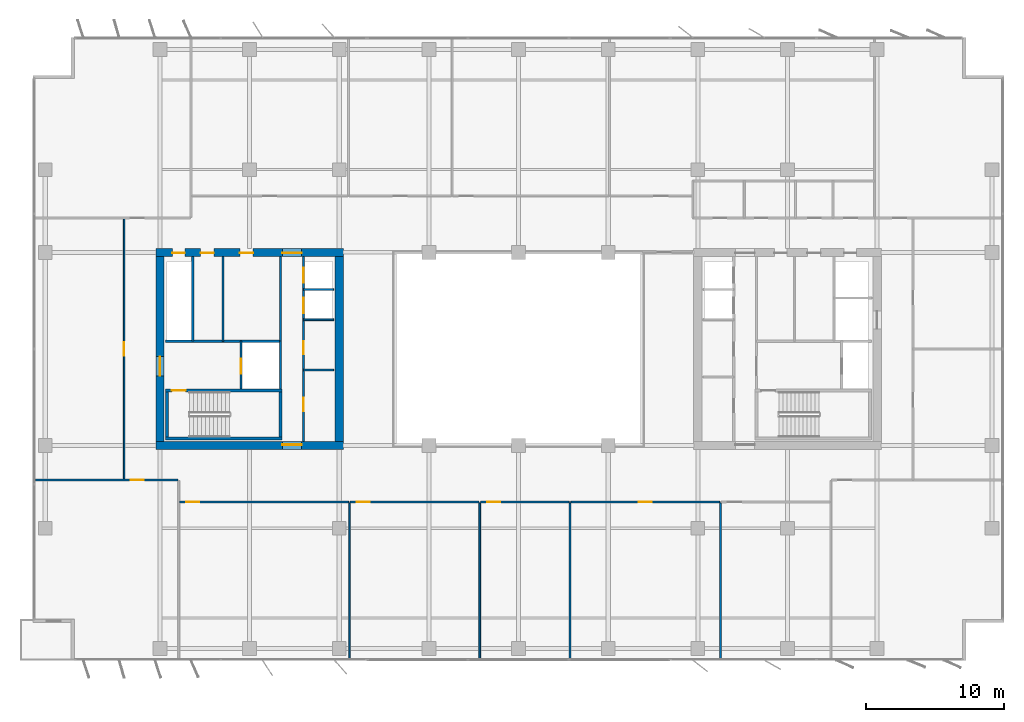
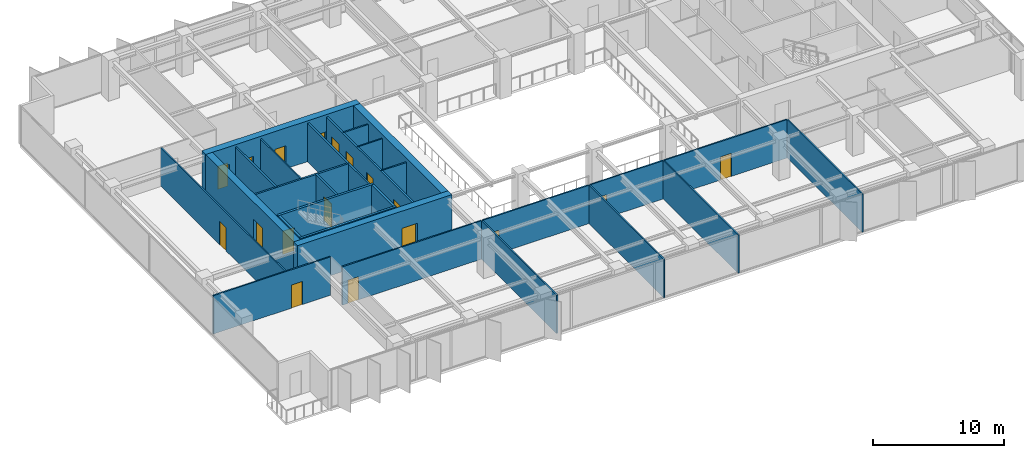
# One storey, part 15 of 22: 28 walls, 18 doors, 18 openings.
"""IFC4 building model written with IfcOpenShell, lengths in metres."""

from ifc_helpers import new_model, si_unit, direction, frame, frame_2d, origin, place, context, subcontext, project, spatial, rectangle, extrude, material, layer, layer_set, type_object, element, fill, save


model = new_model("IFC4")

# Units and contexts
model_context = context("Model", 3, precision=1e-05, world=origin(), true_north=direction((0.0, 1.0)))
body_context = subcontext(model_context, "Body", "Model", "MODEL_VIEW")
ifc_project = project(units=[si_unit("LENGTHUNIT", "METRE"), si_unit("AREAUNIT", "SQUARE_METRE"), si_unit("VOLUMEUNIT", "CUBIC_METRE"), si_unit("PLANEANGLEUNIT", "RADIAN"), si_unit("MASSUNIT", "GRAM", prefix="KILO")], contexts=[model_context])

# Site, building, storey
site_placement = place(None, origin())
site = spatial("IfcSite", under=ifc_project, at=site_placement, CompositionType="ELEMENT")
building_placement = place(site_placement, origin())
building = spatial("IfcBuilding", under=site, at=building_placement, Name="Putna Gate Headquarters", CompositionType="ELEMENT")
storey_placement = place(building_placement, frame((0.0, 0.0, 167.0)))
storey = spatial("IfcBuildingStorey", under=building, at=storey_placement, Name="L41", CompositionType="ELEMENT", Elevation=167.0)

# Wall, opening, door
ifc_material_1 = material(Name="Concrete C50/60", Category="concrete")
ifc_layer_1 = layer(ifc_material_1, 0.60009765625)
ifc_layer_set_1 = layer_set([ifc_layer_1], Name="Concrete C50/60")
wall_type_1 = type_object("IfcWallType", Name="WALL-CORE-600", PredefinedType="SHEAR", material=ifc_layer_set_1)
wall_1_placement = place(storey_placement, frame((12.699951171875, 19.0, 0.0), z_axis=(0.0, 0.0, 1.0), x_axis=(1.0, 0.0, 0.0)))
wall_1 = element("IfcWall", 1, at=wall_1_placement, inside=storey, type_object=wall_type_1, Name="L41 WC Split Core Shear Wall S", PredefinedType="SHEAR", context=body_context, shape_type="SweptSolid", body=[
    extrude(rectangle(XDim=13.60009765625, YDim=0.60009765625, at=frame_2d((6.800048828125, 0.0))), origin(), (0.0, 0.0, 1.0), 3.800048828125),
])
opening_1_placement = place(wall_1_placement, frame((9.179931640625, 0.0, 0.0)))
opening_1 = element("IfcOpeningElement", 2, at=opening_1_placement, cuts=wall_1, Name="Opening FDD-140", PredefinedType="OPENING", context=body_context, shape_type="SweptSolid", body=[
    extrude(rectangle(XDim=1.39990234375, YDim=2.199951171875, at=frame_2d((0.699951171875, 1.10009765625))), frame((0.0, 0.31005859375, 0.0), z_axis=(0.0, -1.0, 0.0), x_axis=(1.0, 0.0, 0.0)), (0.0, 0.0, 1.0), 0.6201171875),
])
ifc_material_2 = material(Name="Double steel fire door", Category="steel")
door_type_1 = type_object("IfcDoorType", Name="DOOR-FIRE-DBL-1400", OperationType="DOUBLE_DOOR_SINGLE_SWING", PredefinedType="DOOR", material=ifc_material_2)
door_1_placement = place(opening_1_placement, origin())
door_1 = element("IfcDoor", 3, at=door_1_placement, inside=storey, type_object=door_type_1, Name="L41 West Lift Lobby South Door", OperationType="DOUBLE_DOOR_SINGLE_SWING", OverallHeight=2.199951171875, OverallWidth=1.39990234375, PredefinedType="DOOR", context=body_context, shape_type="SweptSolid", body=[
    extrude(rectangle(XDim=1.39990234375, YDim=2.199951171875, at=frame_2d((0.699951171875, 1.10009765625))), frame((0.0, 0.0751953125, 0.0), z_axis=(0.0, -1.0, 0.0), x_axis=(1.0, 0.0, 0.0)), (0.0, 0.0, 1.0), 0.050048828125),
])
fill(opening_1, door_1)

# Wall, openings, doors
wall_2_placement = place(storey_placement, frame((12.699951171875, 33.0, 0.0), z_axis=(0.0, 0.0, 1.0), x_axis=(1.0, 0.0, 0.0)))
wall_2 = element("IfcWall", 4, at=wall_2_placement, inside=storey, type_object=wall_type_1, Name="L41 WC Split Core Shear Wall N", PredefinedType="SHEAR", context=body_context, shape_type="SweptSolid", body=[
    extrude(rectangle(XDim=13.60009765625, YDim=0.60009765625, at=frame_2d((6.800048828125, 0.0))), origin(), (0.0, 0.0, 1.0), 3.800048828125),
])
opening_2_placement = place(wall_2_placement, frame((1.199951171875, 0.0, 0.0)))
opening_2 = element("IfcOpeningElement", 5, at=opening_2_placement, cuts=wall_2, Name="Opening RD-90", PredefinedType="OPENING", context=body_context, shape_type="SweptSolid", body=[
    extrude(rectangle(XDim=0.89990234375, YDim=2.14990234375, at=frame_2d((0.449951171875, 1.074951171875))), frame((0.0, 0.31005859375, 0.0), z_axis=(0.0, -1.0, 0.0), x_axis=(1.0, 0.0, 0.0)), (0.0, 0.0, 1.0), 0.6201171875),
])
opening_3_placement = place(wall_2_placement, frame((3.25, 0.0, 0.0)))
opening_3 = element("IfcOpeningElement", 6, at=opening_3_placement, cuts=wall_2, Name="Opening IDS-95", PredefinedType="OPENING", context=body_context, shape_type="SweptSolid", body=[
    extrude(rectangle(XDim=0.949951171875, YDim=2.14990234375, at=frame_2d((0.47509765625, 1.074951171875))), frame((0.0, 0.31005859375, 0.0), z_axis=(0.0, -1.0, 0.0), x_axis=(1.0, 0.0, 0.0)), (0.0, 0.0, 1.0), 0.6201171875),
])
opening_4_placement = place(wall_2_placement, frame((6.10009765625, 0.0, 0.0)))
opening_4 = element("IfcOpeningElement", 7, at=opening_4_placement, cuts=wall_2, Name="Opening IDS-95", PredefinedType="OPENING", context=body_context, shape_type="SweptSolid", body=[
    extrude(rectangle(XDim=0.949951171875, YDim=2.14990234375, at=frame_2d((0.47509765625, 1.074951171875))), frame((0.0, 0.31005859375, 0.0), z_axis=(0.0, -1.0, 0.0), x_axis=(1.0, 0.0, 0.0)), (0.0, 0.0, 1.0), 0.6201171875),
])
opening_5_placement = place(wall_2_placement, frame((9.179931640625, 0.0, 0.0)))
opening_5 = element("IfcOpeningElement", 8, at=opening_5_placement, cuts=wall_2, Name="Opening FDD-140", PredefinedType="OPENING", context=body_context, shape_type="SweptSolid", body=[
    extrude(rectangle(XDim=1.39990234375, YDim=2.199951171875, at=frame_2d((0.699951171875, 1.10009765625))), frame((0.0, 0.31005859375, 0.0), z_axis=(0.0, -1.0, 0.0), x_axis=(1.0, 0.0, 0.0)), (0.0, 0.0, 1.0), 0.6201171875),
])
door_2_placement = place(opening_5_placement, origin())
door_2 = element("IfcDoor", 9, at=door_2_placement, inside=storey, type_object=door_type_1, Name="L41 West Lift Lobby North Door", OperationType="DOUBLE_DOOR_SINGLE_SWING", OverallHeight=2.199951171875, OverallWidth=1.39990234375, PredefinedType="DOOR", context=body_context, shape_type="SweptSolid", body=[
    extrude(rectangle(XDim=1.39990234375, YDim=2.199951171875, at=frame_2d((0.699951171875, 1.10009765625))), frame((0.0, -0.02490234375, 0.0), z_axis=(0.0, -1.0, 0.0), x_axis=(1.0, 0.0, 0.0)), (0.0, 0.0, 1.0), 0.050048828125),
])
fill(opening_5, door_2)
ifc_material_3 = material(Name="Fire-rated service timber door", Category="wood")
door_type_2 = type_object("IfcDoorType", Name="DOOR-INT-950", OperationType="NOTDEFINED", PredefinedType="DOOR", material=ifc_material_3)
door_3_placement = place(opening_3_placement, origin())
door_3 = element("IfcDoor", 10, at=door_3_placement, inside=storey, type_object=door_type_2, Name="L41 Archive Store Door", OperationType="SINGLE_SWING_LEFT", OverallHeight=2.14990234375, OverallWidth=0.949951171875, PredefinedType="DOOR", context=body_context, shape_type="SweptSolid", body=[
    extrude(rectangle(XDim=0.949951171875, YDim=2.14990234375, at=frame_2d((0.47509765625, 1.074951171875))), frame((0.0, -0.02490234375, 0.0), z_axis=(0.0, -1.0, 0.0), x_axis=(1.0, 0.0, 0.0)), (0.0, 0.0, 1.0), 0.050048828125),
])
fill(opening_3, door_3)
door_4_placement = place(opening_4_placement, origin())
door_4 = element("IfcDoor", 11, at=door_4_placement, inside=storey, type_object=door_type_2, Name="L41 Switchgear Plant Door", OperationType="SINGLE_SWING_RIGHT", OverallHeight=2.14990234375, OverallWidth=0.949951171875, PredefinedType="DOOR", context=body_context, shape_type="SweptSolid", body=[
    extrude(rectangle(XDim=0.949951171875, YDim=2.14990234375, at=frame_2d((0.47509765625, 1.074951171875))), frame((0.0, -0.02490234375, 0.0), z_axis=(0.0, -1.0, 0.0), x_axis=(1.0, 0.0, 0.0)), (0.0, 0.0, 1.0), 0.050048828125),
])
fill(opening_4, door_4)
ifc_material_4 = material(Name="Steel riser access fire door", Category="steel")
door_type_3 = type_object("IfcDoorType", Name="DOOR-RISER-900", OperationType="NOTDEFINED", PredefinedType="DOOR", material=ifc_material_4)
door_5_placement = place(opening_2_placement, origin())
door_5 = element("IfcDoor", 12, at=door_5_placement, inside=storey, type_object=door_type_3, Name="L41 West Riser Access Door", OperationType="SINGLE_SWING_RIGHT", OverallHeight=2.14990234375, OverallWidth=0.89990234375, PredefinedType="DOOR", context=body_context, shape_type="SweptSolid", body=[
    extrude(rectangle(XDim=0.89990234375, YDim=2.14990234375, at=frame_2d((0.449951171875, 1.074951171875))), frame((0.0, -0.02490234375, 0.0), z_axis=(0.0, -1.0, 0.0), x_axis=(1.0, 0.0, 0.0)), (0.0, 0.0, 1.0), 0.050048828125),
])
fill(opening_2, door_5)

# Wall, opening, door
wall_3_placement = place(storey_placement, frame((13.0, 19.300048828125, 0.0), z_axis=(0.0, 0.0, 1.0), x_axis=(0.0, 1.0, 0.0)))
wall_3 = element("IfcWall", 13, at=wall_3_placement, inside=storey, type_object=wall_type_1, Name="L41 WC Split Core Shear Wall W", PredefinedType="SHEAR", context=body_context, shape_type="SweptSolid", body=[
    extrude(rectangle(XDim=13.39990234375, YDim=0.60009765625, at=frame_2d((6.699951171875, 0.0))), origin(), (0.0, 0.0, 1.0), 3.800048828125),
])
opening_6_placement = place(wall_3_placement, frame((4.75, 0.0, 0.0)))
opening_6 = element("IfcOpeningElement", 14, at=opening_6_placement, cuts=wall_3, Name="Opening FDD-140", PredefinedType="OPENING", context=body_context, shape_type="SweptSolid", body=[
    extrude(rectangle(XDim=1.39990234375, YDim=2.199951171875, at=frame_2d((0.699951171875, 1.10009765625))), frame((0.0, 0.31005859375, 0.0), z_axis=(0.0, -1.0, 0.0), x_axis=(1.0, 0.0, 0.0)), (0.0, 0.0, 1.0), 0.6201171875),
])
door_6_placement = place(opening_6_placement, origin())
door_6 = element("IfcDoor", 15, at=door_6_placement, inside=storey, type_object=door_type_1, Name="L41 West Firefighting Lobby Door", OperationType="DOUBLE_DOOR_SINGLE_SWING", OverallHeight=2.199951171875, OverallWidth=1.39990234375, PredefinedType="DOOR", context=body_context, shape_type="SweptSolid", body=[
    extrude(rectangle(XDim=1.39990234375, YDim=2.199951171875, at=frame_2d((0.699951171875, 1.10009765625))), frame((0.0, 0.02490234375, 0.0), z_axis=(0.0, -1.0, 0.0), x_axis=(1.0, 0.0, 0.0)), (0.0, 0.0, 1.0), 0.050048828125),
])
fill(opening_6, door_6)

# Walls
wall_4_placement = place(storey_placement, frame((26.0, 19.300048828125, 0.0), z_axis=(0.0, 0.0, 1.0), x_axis=(0.0, 1.0, 0.0)))
element("IfcWall", 16, at=wall_4_placement, inside=storey, type_object=wall_type_1, Name="L41 WC Split Core Shear Wall E", PredefinedType="SHEAR", context=body_context, shape_type="SweptSolid", body=[
    extrude(rectangle(XDim=13.39990234375, YDim=0.60009765625, at=frame_2d((6.699951171875, 0.0))), origin(), (0.0, 0.0, 1.0), 3.800048828125),
])
ifc_material_5 = material(Name="Acoustic gypsum board on metal stud")
ifc_layer_2 = layer(ifc_material_5, 0.1201171875)
ifc_layer_set_2 = layer_set([ifc_layer_2], Name="Acoustic gypsum board on metal stud")
wall_type_2 = type_object("IfcWallType", Name="WALL-PART-120", PredefinedType="PARTITIONING", material=ifc_layer_set_2)
for number, where, z_axis, x_axis, name in (
    (17, (26.736083984375, 3.419921875, 0.0), (0.0, 0.0, 1.0), (0.0, 1.0, 0.0), "L41 Interior Wall PART-L41-SB-DIV-02"),
    (18, (36.19140625, 3.419921875, 0.0), (0.0, 0.0, 1.0), (0.0, 1.0, 0.0), "L41 Interior Wall PART-L41-SB-DIV-03"),
    (19, (42.72607421875, 3.419921875, 0.0), (0.0, 0.0, 1.0), (0.0, 1.0, 0.0), "L41 Interior Wall PART-L41-SB-DIV-04"),
    (20, (53.6455078125, 3.419921875, 0.0), (0.0, 0.0, 1.0), (0.0, 1.0, 0.0), "L41 Interior Wall PART-L41-SB-DIV-05"),
):
    element("IfcWall", number, at=place(storey_placement, frame(where, z_axis=z_axis, x_axis=x_axis)), inside=storey, type_object=wall_type_2, Name=name, PredefinedType="PARTITIONING", context=body_context, shape_type="SweptSolid", body=[
        extrude(rectangle(XDim=11.420166015625, YDim=0.1201171875, at=frame_2d((5.7099609375, 0.0))), origin(), (0.0, 0.0, 1.0), 3.572021484375),
    ])
ifc_material_6 = material(Name="Fire-rated shaftwall gypsum board on metal stud")
ifc_layer_3 = layer(ifc_material_6, 0.1201171875)
ifc_layer_set_3 = layer_set([ifc_layer_3], Name="Fire-rated shaftwall gypsum board on metal stud")
wall_type_3 = type_object("IfcWallType", Name="WALL-PART-120-EI120", PredefinedType="PARTITIONING", material=ifc_layer_set_3)
wall_5_placement = place(storey_placement, frame((23.39990234375, 30.31005859375, 0.0), z_axis=(0.0, 0.0, 1.0), x_axis=(1.0, 0.0, 0.0)))
element("IfcWall", 21, at=wall_5_placement, inside=storey, type_object=wall_type_3, Name="L41 Interior Wall CWINT-L41-WC-LF09-DIV", PredefinedType="PARTITIONING", context=body_context, shape_type="SweptSolid", body=[
    extrude(rectangle(XDim=2.2001953125, YDim=0.1201171875, at=frame_2d((1.10009765625, 0.0))), origin(), (0.0, 0.0, 1.0), 3.572021484375),
])
ifc_material_7 = material(Name="Fire-rated gypsum board on metal stud")
ifc_layer_4 = layer(ifc_material_7, 0.1201171875)
ifc_layer_set_4 = layer_set([ifc_layer_4], Name="Fire-rated gypsum board on metal stud")
wall_type_4 = type_object("IfcWallType", Name="WALL-PART-120-RATED", PredefinedType="PARTITIONING", material=ifc_layer_set_4)
wall_6_placement = place(storey_placement, frame((17.570068359375, 26.56005859375, 0.0), z_axis=(0.0, 0.0, 1.0), x_axis=(0.0, 1.0, 0.0)))
element("IfcWall", 22, at=wall_6_placement, inside=storey, type_object=wall_type_4, Name="L41 Interior Wall CWINT-L41-WC-K1-DIV", PredefinedType="PARTITIONING", context=body_context, shape_type="SweptSolid", body=[
    extrude(rectangle(XDim=6.139892578125, YDim=0.1201171875, at=frame_2d((3.06982421875, 0.0))), origin(), (0.0, 0.0, 1.0), 3.572021484375),
])
for number, where, z_axis, x_axis, name in (
    (23, (23.39990234375, 24.469970703125, 0.0), (0.0, 0.0, 1.0), (1.0, 0.0, 0.0), "L41 Interior Wall CWINT-L41-WC-REUSE-DIV"),
    (24, (23.39990234375, 28.1201171875, 0.0), (0.0, 0.0, 1.0), (1.0, 0.0, 0.0), "L41 Interior Wall CWINT-L41-WC-LF06-DIV"),
):
    element("IfcWall", number, at=place(storey_placement, frame(where, z_axis=z_axis, x_axis=x_axis)), inside=storey, type_object=wall_type_4, Name=name, PredefinedType="PARTITIONING", context=body_context, shape_type="SweptSolid", body=[
        extrude(rectangle(XDim=2.2001953125, YDim=0.1201171875, at=frame_2d((1.10009765625, 0.0))), origin(), (0.0, 0.0, 1.0), 3.572021484375),
    ])

# Wall, opening, door
wall_7_placement = place(storey_placement, frame((3.97998046875, 16.5, 0.0), z_axis=(0.0, 0.0, 1.0), x_axis=(1.0, 0.0, 0.0)))
wall_7 = element("IfcWall", 25, at=wall_7_placement, inside=storey, type_object=wall_type_4, Name="L41 Interior Wall PART-L41-SB-CW-01", PredefinedType="PARTITIONING", context=body_context, shape_type="SweptSolid", body=[
    extrude(rectangle(XDim=10.31982421875, YDim=0.1201171875, at=frame_2d((5.159912109375, 0.0))), origin(), (0.0, 0.0, 1.0), 3.572021484375),
])
opening_7_placement = place(wall_7_placement, frame((6.89990234375, 0.0, 0.0)))
opening_7 = element("IfcOpeningElement", 26, at=opening_7_placement, cuts=wall_7, Name="Opening FD-95", PredefinedType="OPENING", context=body_context, shape_type="SweptSolid", body=[
    extrude(rectangle(XDim=0.949951171875, YDim=2.14990234375, at=frame_2d((0.47509765625, 1.074951171875))), frame((0.0, 0.070068359375, 0.0), z_axis=(0.0, -1.0, 0.0), x_axis=(1.0, 0.0, 0.0)), (0.0, 0.0, 1.0), 0.14013671875),
])
ifc_material_8 = material(Name="Acoustic timber fire door", Category="wood")
door_type_4 = type_object("IfcDoorType", Name="DOOR-FIRE-950", OperationType="NOTDEFINED", PredefinedType="DOOR", material=ifc_material_8)
door_7_placement = place(opening_7_placement, origin())
door_7 = element("IfcDoor", 27, at=door_7_placement, inside=storey, type_object=door_type_4, Name="L41 Cellular Office 3 Door", OperationType="SINGLE_SWING_RIGHT", OverallHeight=2.14990234375, OverallWidth=0.949951171875, PredefinedType="DOOR", context=body_context, shape_type="SweptSolid", body=[
    extrude(rectangle(XDim=0.949951171875, YDim=2.14990234375, at=frame_2d((0.47509765625, 1.074951171875))), frame((0.0, 0.02490234375, 0.0), z_axis=(0.0, -1.0, 0.0), x_axis=(1.0, 0.0, 0.0)), (0.0, 0.0, 1.0), 0.050048828125),
])
fill(opening_7, door_7)

wall_8_placement = place(storey_placement, frame((14.419921875, 14.89990234375, 0.0), z_axis=(0.0, 0.0, 1.0), x_axis=(1.0, 0.0, 0.0)))
wall_8 = element("IfcWall", 28, at=wall_8_placement, inside=storey, type_object=wall_type_4, Name="L41 Interior Wall PART-L41-SB-CW-02", PredefinedType="PARTITIONING", context=body_context, shape_type="SweptSolid", body=[
    extrude(rectangle(XDim=12.256103515625, YDim=0.1201171875, at=frame_2d((6.1279296875, 0.0))), origin(), (0.0, 0.0, 1.0), 3.572021484375),
])
opening_8_placement = place(wall_8_placement, frame((0.47998046875, 0.0, 0.0)))
opening_8 = element("IfcOpeningElement", 29, at=opening_8_placement, cuts=wall_8, Name="Opening FD-95", PredefinedType="OPENING", context=body_context, shape_type="SweptSolid", body=[
    extrude(rectangle(XDim=0.949951171875, YDim=2.14990234375, at=frame_2d((0.47509765625, 1.074951171875))), frame((0.0, 0.070068359375, 0.0), z_axis=(0.0, -1.0, 0.0), x_axis=(1.0, 0.0, 0.0)), (0.0, 0.0, 1.0), 0.14013671875),
])
door_8_placement = place(opening_8_placement, origin())
door_8 = element("IfcDoor", 30, at=door_8_placement, inside=storey, type_object=door_type_4, Name="L41 Conference Meeting Room 3 Door", OperationType="SINGLE_SWING_LEFT", OverallHeight=2.14990234375, OverallWidth=0.949951171875, PredefinedType="DOOR", context=body_context, shape_type="SweptSolid", body=[
    extrude(rectangle(XDim=0.949951171875, YDim=2.14990234375, at=frame_2d((0.47509765625, 1.074951171875))), frame((0.0, 0.02490234375, 0.0), z_axis=(0.0, -1.0, 0.0), x_axis=(1.0, 0.0, 0.0)), (0.0, 0.0, 1.0), 0.050048828125),
])
fill(opening_8, door_8)

wall_9_placement = place(storey_placement, frame((26.7958984375, 14.89990234375, 0.0), z_axis=(0.0, 0.0, 1.0), x_axis=(1.0, 0.0, 0.0)))
wall_9 = element("IfcWall", 31, at=wall_9_placement, inside=storey, type_object=wall_type_4, Name="L41 Interior Wall PART-L41-SB-CW-03", PredefinedType="PARTITIONING", context=body_context, shape_type="SweptSolid", body=[
    extrude(rectangle(XDim=9.33544921875, YDim=0.1201171875, at=frame_2d((4.667724609375, 0.0))), origin(), (0.0, 0.0, 1.0), 3.572021484375),
])
opening_9_placement = place(wall_9_placement, frame((0.47998046875, 0.0, 0.0)))
opening_9 = element("IfcOpeningElement", 32, at=opening_9_placement, cuts=wall_9, Name="Opening FD-95", PredefinedType="OPENING", context=body_context, shape_type="SweptSolid", body=[
    extrude(rectangle(XDim=0.949951171875, YDim=2.14990234375, at=frame_2d((0.47509765625, 1.074951171875))), frame((0.0, 0.070068359375, 0.0), z_axis=(0.0, -1.0, 0.0), x_axis=(1.0, 0.0, 0.0)), (0.0, 0.0, 1.0), 0.14013671875),
])
door_9_placement = place(opening_9_placement, origin())
door_9 = element("IfcDoor", 33, at=door_9_placement, inside=storey, type_object=door_type_4, Name="L41 Conference Meeting Room 4 Door", OperationType="SINGLE_SWING_RIGHT", OverallHeight=2.14990234375, OverallWidth=0.949951171875, PredefinedType="DOOR", context=body_context, shape_type="SweptSolid", body=[
    extrude(rectangle(XDim=0.949951171875, YDim=2.14990234375, at=frame_2d((0.47509765625, 1.074951171875))), frame((0.0, 0.02490234375, 0.0), z_axis=(0.0, -1.0, 0.0), x_axis=(1.0, 0.0, 0.0)), (0.0, 0.0, 1.0), 0.050048828125),
])
fill(opening_9, door_9)

wall_10_placement = place(storey_placement, frame((36.25146484375, 14.89990234375, 0.0), z_axis=(0.0, 0.0, 1.0), x_axis=(1.0, 0.0, 0.0)))
wall_10 = element("IfcWall", 34, at=wall_10_placement, inside=storey, type_object=wall_type_4, Name="L41 Interior Wall PART-L41-SB-CW-04", PredefinedType="PARTITIONING", context=body_context, shape_type="SweptSolid", body=[
    extrude(rectangle(XDim=6.41455078125, YDim=0.1201171875, at=frame_2d((3.207275390625, 0.0))), origin(), (0.0, 0.0, 1.0), 3.572021484375),
])
opening_10_placement = place(wall_10_placement, frame((0.47998046875, 0.0, 0.0)))
opening_10 = element("IfcOpeningElement", 35, at=opening_10_placement, cuts=wall_10, Name="Opening FD-95", PredefinedType="OPENING", context=body_context, shape_type="SweptSolid", body=[
    extrude(rectangle(XDim=0.949951171875, YDim=2.14990234375, at=frame_2d((0.47509765625, 1.074951171875))), frame((0.0, 0.070068359375, 0.0), z_axis=(0.0, -1.0, 0.0), x_axis=(1.0, 0.0, 0.0)), (0.0, 0.0, 1.0), 0.14013671875),
])
door_10_placement = place(opening_10_placement, origin())
door_10 = element("IfcDoor", 36, at=door_10_placement, inside=storey, type_object=door_type_4, Name="L41 Collaborative Breakout Lounge 1 Door", OperationType="SINGLE_SWING_LEFT", OverallHeight=2.14990234375, OverallWidth=0.949951171875, PredefinedType="DOOR", context=body_context, shape_type="SweptSolid", body=[
    extrude(rectangle(XDim=0.949951171875, YDim=2.14990234375, at=frame_2d((0.47509765625, 1.074951171875))), frame((0.0, 0.02490234375, 0.0), z_axis=(0.0, -1.0, 0.0), x_axis=(1.0, 0.0, 0.0)), (0.0, 0.0, 1.0), 0.050048828125),
])
fill(opening_10, door_10)

wall_11_placement = place(storey_placement, frame((42.7861328125, 14.89990234375, 0.0), z_axis=(0.0, 0.0, 1.0), x_axis=(1.0, 0.0, 0.0)))
wall_11 = element("IfcWall", 37, at=wall_11_placement, inside=storey, type_object=wall_type_4, Name="L41 Interior Wall PART-L41-SB-CW-05", PredefinedType="PARTITIONING", context=body_context, shape_type="SweptSolid", body=[
    extrude(rectangle(XDim=10.79931640625, YDim=0.1201171875, at=frame_2d((5.399658203125, 0.0))), origin(), (0.0, 0.0, 1.0), 3.572021484375),
])
opening_11_placement = place(wall_11_placement, frame((4.924560546875, 0.0, 0.0)))
opening_11 = element("IfcOpeningElement", 38, at=opening_11_placement, cuts=wall_11, Name="Opening FD-95", PredefinedType="OPENING", context=body_context, shape_type="SweptSolid", body=[
    extrude(rectangle(XDim=0.949951171875, YDim=2.14990234375, at=frame_2d((0.47509765625, 1.074951171875))), frame((0.0, 0.070068359375, 0.0), z_axis=(0.0, -1.0, 0.0), x_axis=(1.0, 0.0, 0.0)), (0.0, 0.0, 1.0), 0.14013671875),
])
door_11_placement = place(opening_11_placement, origin())
door_11 = element("IfcDoor", 39, at=door_11_placement, inside=storey, type_object=door_type_4, Name="L41 Collaborative Breakout Lounge 2 Door", OperationType="SINGLE_SWING_RIGHT", OverallHeight=2.14990234375, OverallWidth=0.949951171875, PredefinedType="DOOR", context=body_context, shape_type="SweptSolid", body=[
    extrude(rectangle(XDim=0.949951171875, YDim=2.14990234375, at=frame_2d((0.47509765625, 1.074951171875))), frame((0.0, 0.02490234375, 0.0), z_axis=(0.0, -1.0, 0.0), x_axis=(1.0, 0.0, 0.0)), (0.0, 0.0, 1.0), 0.050048828125),
])
fill(opening_11, door_11)

wall_12_placement = place(storey_placement, frame((10.39990234375, 16.5, 0.0), z_axis=(0.0, 0.0, 1.0), x_axis=(0.0, 1.0, 0.0)))
wall_12 = element("IfcWall", 40, at=wall_12_placement, inside=storey, type_object=wall_type_4, Name="L41 Interior Wall PART-L41-WW-CW-1", PredefinedType="PARTITIONING", context=body_context, shape_type="SweptSolid", body=[
    extrude(rectangle(XDim=19.0, YDim=0.1201171875, at=frame_2d((9.5, 0.0))), origin(), (0.0, 0.0, 1.0), 3.572021484375),
])
opening_12_placement = place(wall_12_placement, frame((9.02490234375, 0.0, 0.0)))
opening_12 = element("IfcOpeningElement", 41, at=opening_12_placement, cuts=wall_12, Name="Opening FD-95", PredefinedType="OPENING", context=body_context, shape_type="SweptSolid", body=[
    extrude(rectangle(XDim=0.949951171875, YDim=2.14990234375, at=frame_2d((0.47509765625, 1.074951171875))), frame((0.0, 0.070068359375, 0.0), z_axis=(0.0, -1.0, 0.0), x_axis=(1.0, 0.0, 0.0)), (0.0, 0.0, 1.0), 0.14013671875),
])
door_12_placement = place(opening_12_placement, origin())
door_12 = element("IfcDoor", 42, at=door_12_placement, inside=storey, type_object=door_type_4, Name="L41 West Project Meeting Room 1 Door", OperationType="SINGLE_SWING_LEFT", OverallHeight=2.14990234375, OverallWidth=0.949951171875, PredefinedType="DOOR", context=body_context, shape_type="SweptSolid", body=[
    extrude(rectangle(XDim=0.949951171875, YDim=2.14990234375, at=frame_2d((0.47509765625, 1.074951171875))), frame((0.0, 0.02490234375, 0.0), z_axis=(0.0, -1.0, 0.0), x_axis=(1.0, 0.0, 0.0)), (0.0, 0.0, 1.0), 0.050048828125),
])
fill(opening_12, door_12)

# Wall
ifc_material_9 = material(Name="Concrete C40/50", Category="concrete")
ifc_layer_5 = layer(ifc_material_9, 0.159912109375)
ifc_layer_set_5 = layer_set([ifc_layer_5], Name="Concrete C40/50")
wall_type_5 = type_object("IfcWallType", Name="WALL-SHAFT-160", PredefinedType="STANDARD", material=ifc_layer_set_5)
wall_13_placement = place(storey_placement, frame((21.739990234375, 23.090087890625, 0.0), z_axis=(0.0, 0.0, 1.0), x_axis=(0.0, 1.0, 0.0)))
element("IfcWall", 43, at=wall_13_placement, inside=storey, type_object=wall_type_5, Name="L41 Interior Wall CWINT-L41-WC-FFL-E", PredefinedType="STANDARD", context=body_context, shape_type="SweptSolid", body=[
    extrude(rectangle(XDim=3.469970703125, YDim=0.159912109375, at=frame_2d((1.73486328125, 0.0))), origin(), (0.0, 0.0, 1.0), 3.572021484375),
])

# Wall, opening, door
wall_14_placement = place(storey_placement, frame((18.8798828125, 23.090087890625, 0.0), z_axis=(0.0, 0.0, 1.0), x_axis=(0.0, 1.0, 0.0)))
wall_14 = element("IfcWall", 44, at=wall_14_placement, inside=storey, type_object=wall_type_5, Name="L41 Interior Wall CWINT-L41-WC-LF13-W", PredefinedType="STANDARD", context=body_context, shape_type="SweptSolid", body=[
    extrude(rectangle(XDim=3.469970703125, YDim=0.159912109375, at=frame_2d((1.73486328125, 0.0))), origin(), (0.0, 0.0, 1.0), 3.572021484375),
])
opening_13_placement = place(wall_14_placement, frame((1.10009765625, 0.0, 0.0)))
opening_13 = element("IfcOpeningElement", 45, at=opening_13_placement, cuts=wall_14, Name="Opening LD-1", PredefinedType="OPENING", context=body_context, shape_type="SweptSolid", body=[
    extrude(rectangle(XDim=1.10009765625, YDim=2.199951171875, at=frame_2d((0.550048828125, 1.10009765625))), frame((0.0, 0.08984375, 0.0), z_axis=(0.0, -1.0, 0.0), x_axis=(1.0, 0.0, 0.0)), (0.0, 0.0, 1.0), 0.179931640625),
])
ifc_material_10 = material(Name="Brushed bronze stainless lift landing door")
door_type_5 = type_object("IfcDoorType", Name="DOOR-LIFT-1100", OperationType="DOUBLE_DOOR_SLIDING", PredefinedType="DOOR", material=ifc_material_10)
door_13_placement = place(opening_13_placement, origin())
door_13 = element("IfcDoor", 46, at=door_13_placement, inside=storey, type_object=door_type_5, Name="L41 Lift Landing Door LD-13", OperationType="DOUBLE_DOOR_SLIDING", OverallHeight=2.199951171875, OverallWidth=1.10009765625, PredefinedType="DOOR", context=body_context, shape_type="SweptSolid", body=[
    extrude(rectangle(XDim=1.10009765625, YDim=2.199951171875, at=frame_2d((0.550048828125, 1.10009765625))), frame((0.0, 0.02490234375, 0.0), z_axis=(0.0, -1.0, 0.0), x_axis=(1.0, 0.0, 0.0)), (0.0, 0.0, 1.0), 0.050048828125),
])
fill(opening_13, door_13)

# Walls
wall_15_placement = place(storey_placement, frame((13.39990234375, 26.56005859375, 0.0), z_axis=(0.0, 0.0, 1.0), x_axis=(1.0, 0.0, 0.0)))
element("IfcWall", 47, at=wall_15_placement, inside=storey, type_object=wall_type_5, Name="L41 Interior Wall CWINT-L41-WC-FFL-N", PredefinedType="STANDARD", context=body_context, shape_type="SweptSolid", body=[
    extrude(rectangle(XDim=8.340087890625, YDim=0.159912109375, at=frame_2d((4.169921875, 0.0))), origin(), (0.0, 0.0, 1.0), 3.572021484375),
])
for number, where, z_axis, x_axis, name in (
    (48, (15.3798828125, 26.56005859375, 0.0), (0.0, 0.0, 1.0), (0.0, 1.0, 0.0), "L41 Interior Wall CWINT-L41-WC-RISER-E"),
    (49, (21.739990234375, 26.56005859375, 0.0), (0.0, 0.0, 1.0), (0.0, 1.0, 0.0), "L41 Interior Wall CWINT-L41-WC-LOB-W"),
):
    element("IfcWall", number, at=place(storey_placement, frame(where, z_axis=z_axis, x_axis=x_axis)), inside=storey, type_object=wall_type_5, Name=name, PredefinedType="STANDARD", context=body_context, shape_type="SweptSolid", body=[
        extrude(rectangle(XDim=6.139892578125, YDim=0.159912109375, at=frame_2d((3.06982421875, 0.0))), origin(), (0.0, 0.0, 1.0), 3.572021484375),
    ])

# Wall, openings, doors
wall_16_placement = place(storey_placement, frame((23.39990234375, 19.300048828125, 0.0), z_axis=(0.0, 0.0, 1.0), x_axis=(0.0, 1.0, 0.0)))
wall_16 = element("IfcWall", 50, at=wall_16_placement, inside=storey, type_object=wall_type_5, Name="L41 Interior Wall CWINT-L41-WC-PL-WALL", PredefinedType="STANDARD", context=body_context, shape_type="SweptSolid", body=[
    extrude(rectangle(XDim=13.39990234375, YDim=0.159912109375, at=frame_2d((6.699951171875, 0.0))), origin(), (0.0, 0.0, 1.0), 3.572021484375),
])
opening_14_placement = place(wall_16_placement, frame((2.199951171875, 0.0, 0.0)))
opening_14 = element("IfcOpeningElement", 51, at=opening_14_placement, cuts=wall_16, Name="Opening IDS-95", PredefinedType="OPENING", context=body_context, shape_type="SweptSolid", body=[
    extrude(rectangle(XDim=0.949951171875, YDim=2.14990234375, at=frame_2d((0.47509765625, 1.074951171875))), frame((0.0, 0.08984375, 0.0), z_axis=(0.0, -1.0, 0.0), x_axis=(1.0, 0.0, 0.0)), (0.0, 0.0, 1.0), 0.179931640625),
])
opening_15_placement = place(wall_16_placement, frame((6.300048828125, 0.0, 0.0)))
opening_15 = element("IfcOpeningElement", 52, at=opening_15_placement, cuts=wall_16, Name="Opening IDS-95", PredefinedType="OPENING", context=body_context, shape_type="SweptSolid", body=[
    extrude(rectangle(XDim=0.949951171875, YDim=2.14990234375, at=frame_2d((0.47509765625, 1.074951171875))), frame((0.0, 0.08984375, 0.0), z_axis=(0.0, -1.0, 0.0), x_axis=(1.0, 0.0, 0.0)), (0.0, 0.0, 1.0), 0.179931640625),
])
opening_16_placement = place(wall_16_placement, frame((9.300048828125, 0.0, 0.0)))
opening_16 = element("IfcOpeningElement", 53, at=opening_16_placement, cuts=wall_16, Name="Opening LD-1", PredefinedType="OPENING", context=body_context, shape_type="SweptSolid", body=[
    extrude(rectangle(XDim=1.10009765625, YDim=2.199951171875, at=frame_2d((0.550048828125, 1.10009765625))), frame((0.0, 0.08984375, 0.0), z_axis=(0.0, -1.0, 0.0), x_axis=(1.0, 0.0, 0.0)), (0.0, 0.0, 1.0), 0.179931640625),
])
opening_17_placement = place(wall_16_placement, frame((11.5, 0.0, 0.0)))
opening_17 = element("IfcOpeningElement", 54, at=opening_17_placement, cuts=wall_16, Name="Opening LD-1", PredefinedType="OPENING", context=body_context, shape_type="SweptSolid", body=[
    extrude(rectangle(XDim=1.10009765625, YDim=2.199951171875, at=frame_2d((0.550048828125, 1.10009765625))), frame((0.0, 0.08984375, 0.0), z_axis=(0.0, -1.0, 0.0), x_axis=(1.0, 0.0, 0.0)), (0.0, 0.0, 1.0), 0.179931640625),
])
door_14_placement = place(opening_14_placement, origin())
door_14 = element("IfcDoor", 55, at=door_14_placement, inside=storey, type_object=door_type_2, Name="L41 Tenant IT Hub Door", OperationType="SINGLE_SWING_LEFT", OverallHeight=2.14990234375, OverallWidth=0.949951171875, PredefinedType="DOOR", context=body_context, shape_type="SweptSolid", body=[
    extrude(rectangle(XDim=0.949951171875, YDim=2.14990234375, at=frame_2d((0.47509765625, 1.074951171875))), frame((0.0, 0.02490234375, 0.0), z_axis=(0.0, -1.0, 0.0), x_axis=(1.0, 0.0, 0.0)), (0.0, 0.0, 1.0), 0.050048828125),
])
fill(opening_14, door_14)
door_15_placement = place(opening_15_placement, origin())
door_15 = element("IfcDoor", 56, at=door_15_placement, inside=storey, type_object=door_type_2, Name="L41 Records Vault Door", OperationType="SINGLE_SWING_RIGHT", OverallHeight=2.14990234375, OverallWidth=0.949951171875, PredefinedType="DOOR", context=body_context, shape_type="SweptSolid", body=[
    extrude(rectangle(XDim=0.949951171875, YDim=2.14990234375, at=frame_2d((0.47509765625, 1.074951171875))), frame((0.0, 0.02490234375, 0.0), z_axis=(0.0, -1.0, 0.0), x_axis=(1.0, 0.0, 0.0)), (0.0, 0.0, 1.0), 0.050048828125),
])
fill(opening_15, door_15)
door_16_placement = place(opening_16_placement, origin())
door_16 = element("IfcDoor", 57, at=door_16_placement, inside=storey, type_object=door_type_5, Name="L41 Lift Landing Door LD-09", OperationType="DOUBLE_DOOR_SLIDING", OverallHeight=2.199951171875, OverallWidth=1.10009765625, PredefinedType="DOOR", context=body_context, shape_type="SweptSolid", body=[
    extrude(rectangle(XDim=1.10009765625, YDim=2.199951171875, at=frame_2d((0.550048828125, 1.10009765625))), frame((0.0, 0.02490234375, 0.0), z_axis=(0.0, -1.0, 0.0), x_axis=(1.0, 0.0, 0.0)), (0.0, 0.0, 1.0), 0.050048828125),
])
fill(opening_16, door_16)
door_17_placement = place(opening_17_placement, origin())
door_17 = element("IfcDoor", 58, at=door_17_placement, inside=storey, type_object=door_type_5, Name="L41 Lift Landing Door LD-10", OperationType="DOUBLE_DOOR_SLIDING", OverallHeight=2.199951171875, OverallWidth=1.10009765625, PredefinedType="DOOR", context=body_context, shape_type="SweptSolid", body=[
    extrude(rectangle(XDim=1.10009765625, YDim=2.199951171875, at=frame_2d((0.550048828125, 1.10009765625))), frame((0.0, 0.02490234375, 0.0), z_axis=(0.0, -1.0, 0.0), x_axis=(1.0, 0.0, 0.0)), (0.0, 0.0, 1.0), 0.050048828125),
])
fill(opening_17, door_17)

# Wall
ifc_layer_6 = layer(ifc_material_9, 0.199951171875)
ifc_layer_set_6 = layer_set([ifc_layer_6], Name="Concrete C40/50")
wall_type_6 = type_object("IfcWallType", Name="WALL-SHAFT-RC200", PredefinedType="SHEAR", material=ifc_layer_set_6)
wall_17_placement = place(storey_placement, frame((13.409912109375, 19.510009765625, 0.0), z_axis=(0.0, 0.0, 1.0), x_axis=(1.0, 0.0, 0.0)))
element("IfcWall", 59, at=wall_17_placement, inside=storey, type_object=wall_type_6, Name="L41 Stair ST1 Structural Shaft Wall S", PredefinedType="SHEAR", context=body_context, shape_type="SweptSolid", body=[
    extrude(rectangle(XDim=8.43017578125, YDim=0.199951171875, at=frame_2d((4.215087890625, 0.0))), origin(), (0.0, 0.0, 1.0), 3.800048828125),
])

# Wall, opening, door
wall_18_placement = place(storey_placement, frame((13.409912109375, 22.989990234375, 0.0), z_axis=(0.0, 0.0, 1.0), x_axis=(1.0, 0.0, 0.0)))
wall_18 = element("IfcWall", 60, at=wall_18_placement, inside=storey, type_object=wall_type_6, Name="L41 Stair ST1 Structural Shaft Wall N", PredefinedType="SHEAR", context=body_context, shape_type="SweptSolid", body=[
    extrude(rectangle(XDim=8.43017578125, YDim=0.199951171875, at=frame_2d((4.215087890625, 0.0))), origin(), (0.0, 0.0, 1.0), 3.800048828125),
])
opening_18_placement = place(wall_18_placement, frame((0.449951171875, 0.0, 0.0)))
opening_18 = element("IfcOpeningElement", 61, at=opening_18_placement, cuts=wall_18, Name="Opening FD-100", PredefinedType="OPENING", context=body_context, shape_type="SweptSolid", body=[
    extrude(rectangle(XDim=1.0, YDim=2.14990234375, at=frame_2d((0.5, 1.074951171875))), frame((0.0, 0.10986328125, 0.0), z_axis=(0.0, -1.0, 0.0), x_axis=(1.0, 0.0, 0.0)), (0.0, 0.0, 1.0), 0.219970703125),
])
ifc_material_11 = material(Name="Powder-coated steel fire door", Category="steel")
door_type_6 = type_object("IfcDoorType", Name="DOOR-FIRE-1000", OperationType="NOTDEFINED", PredefinedType="DOOR", material=ifc_material_11)
door_18_placement = place(opening_18_placement, origin())
door_18 = element("IfcDoor", 62, at=door_18_placement, inside=storey, type_object=door_type_6, Name="L41 Stair ST1 Fire Door", OperationType="SINGLE_SWING_LEFT", OverallHeight=2.14990234375, OverallWidth=1.0, PredefinedType="DOOR", context=body_context, shape_type="SweptSolid", body=[
    extrude(rectangle(XDim=1.0, YDim=2.14990234375, at=frame_2d((0.5, 1.074951171875))), frame((0.0, 0.02490234375, 0.0), z_axis=(0.0, -1.0, 0.0), x_axis=(1.0, 0.0, 0.0)), (0.0, 0.0, 1.0), 0.050048828125),
])
fill(opening_18, door_18)

# Walls
for number, where, z_axis, x_axis, name in (
    (63, (13.510009765625, 19.610107421875, 0.0), (0.0, 0.0, 1.0), (0.0, 1.0, 0.0), "L41 Stair ST1 Structural Shaft Wall W"),
    (64, (21.739990234375, 19.610107421875, 0.0), (0.0, 0.0, 1.0), (0.0, 1.0, 0.0), "L41 Stair ST1 Structural Shaft Wall E"),
):
    element("IfcWall", number, at=place(storey_placement, frame(where, z_axis=z_axis, x_axis=x_axis)), inside=storey, type_object=wall_type_6, Name=name, PredefinedType="SHEAR", context=body_context, shape_type="SweptSolid", body=[
        extrude(rectangle(XDim=3.27978515625, YDim=0.199951171875, at=frame_2d((1.639892578125, 0.0))), origin(), (0.0, 0.0, 1.0), 3.800048828125),
    ])

save(model, "model.ifc")
